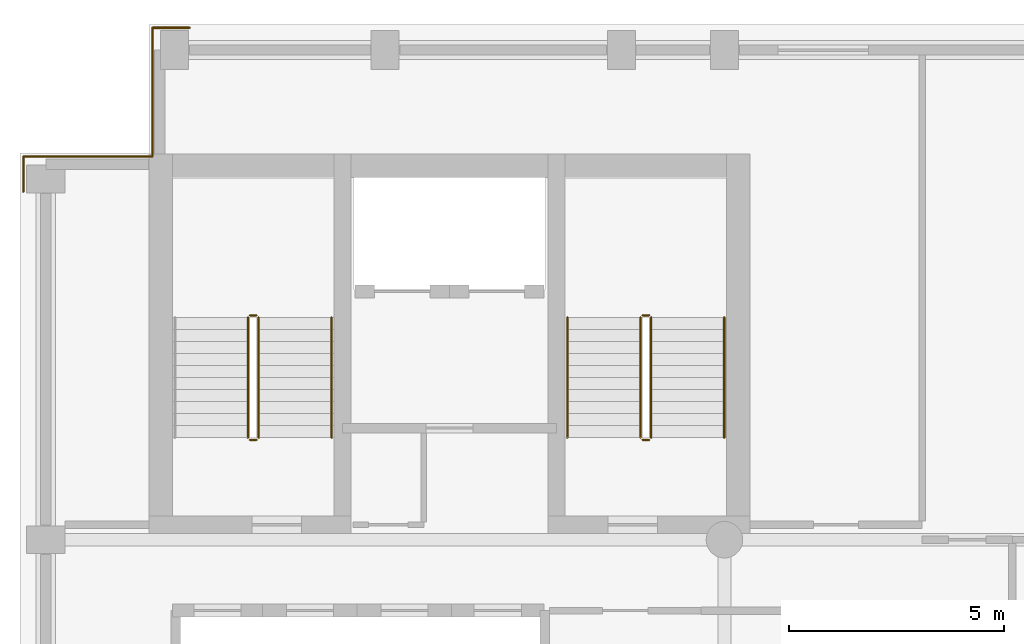
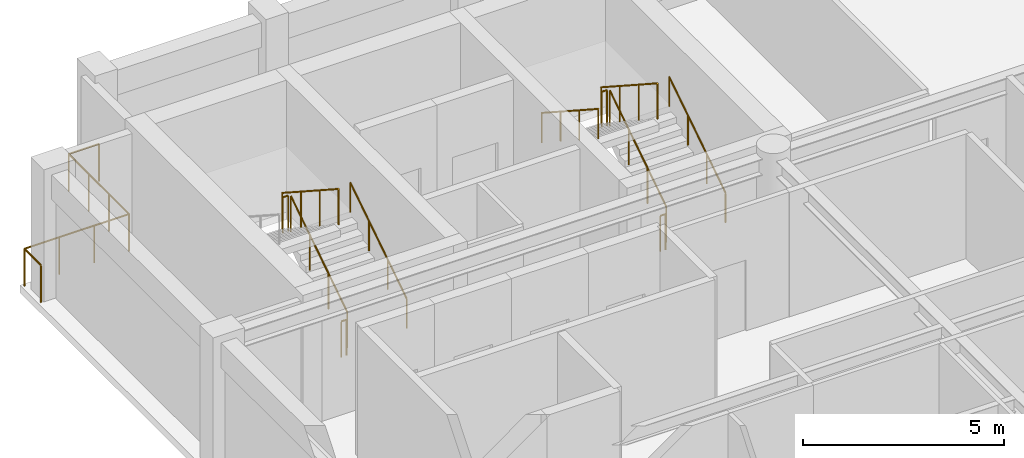
# One storey, part 7 of 8: 15 railings.
"""IFC4 building model written with IfcOpenShell, lengths in metres."""

from ifc_helpers import new_model, si_unit, direction, frame, origin, origin_2d, place, context, subcontext, project, spatial, circle, extrude, material, type_object, element, save


model = new_model("IFC4")

# Units and contexts
model_context = context("Model", 3, precision=1e-05, world=origin(), true_north=direction((0.0, 1.0)))
body_context = subcontext(model_context, "Body", "Model", "MODEL_VIEW")
ifc_project = project(units=[si_unit("LENGTHUNIT", "METRE"), si_unit("AREAUNIT", "SQUARE_METRE"), si_unit("VOLUMEUNIT", "CUBIC_METRE"), si_unit("PLANEANGLEUNIT", "RADIAN"), si_unit("MASSUNIT", "GRAM", prefix="KILO")], contexts=[model_context])

# Site, building, storey
site_placement = place(None, origin())
site = spatial("IfcSite", under=ifc_project, at=site_placement, CompositionType="ELEMENT")
building_placement = place(site_placement, origin())
building = spatial("IfcBuilding", under=site, at=building_placement, Name="Sulina Concourse Tower", CompositionType="ELEMENT")
storey_placement = place(building_placement, frame((0.0, 0.0, 293.0)))
storey = spatial("IfcBuildingStorey", under=building, at=storey_placement, Name="L71", CompositionType="ELEMENT", Elevation=293.0)

# Railings
ifc_material_1 = material(Name="Galvanised steel railing", Category="steel")
railing_type_1 = type_object("IfcRailingType", Name="Core Stair Steel Guardrail 1150mm", PredefinedType="GUARDRAIL", material=ifc_material_1)
railing_1_placement = place(storey_placement, frame((0.080078125, 42.10009765625, 0.0)))
element("IfcRailing", 1, at=railing_1_placement, inside=storey, type_object=railing_type_1, Name="L71 perimeter edge safety guardrail NW1", PredefinedType="GUARDRAIL", context=body_context, shape_type="SweptSolid", body=[
    extrude(circle(Radius=0.02392578125, at=origin_2d()), frame((0.0, 0.0, 1.1259765625), z_axis=(0.0, 1.0, 0.0), x_axis=(-1.0, 0.0, 0.0)), (0.0, 0.0, 1.0), 0.81982421875),
    extrude(circle(Radius=0.02099609375, at=origin_2d()), origin(), (0.0, 0.0, 1.0), 1.101806640625),
    extrude(circle(Radius=0.02099609375, at=origin_2d()), frame((0.0, 0.81982421875, 0.0)), (0.0, 0.0, 1.0), 1.101806640625),
])
railing_2_placement = place(storey_placement, frame((0.080078125, 42.919921875, 0.0)))
element("IfcRailing", 2, at=railing_2_placement, inside=storey, type_object=railing_type_1, Name="L71 perimeter edge safety guardrail NW2", PredefinedType="GUARDRAIL", context=body_context, shape_type="SweptSolid", body=[
    extrude(circle(Radius=0.02392578125, at=origin_2d()), frame((0.0, 0.0, 1.1259765625), z_axis=(1.0, 0.0, 0.0), x_axis=(0.0, 1.0, 0.0)), (0.0, 0.0, 1.0), 3.0),
    extrude(circle(Radius=0.02099609375, at=origin_2d()), origin(), (0.0, 0.0, 1.0), 1.101806640625),
    extrude(circle(Radius=0.02099609375, at=origin_2d()), frame((1.0, 0.0, 0.0)), (0.0, 0.0, 1.0), 1.101806640625),
    extrude(circle(Radius=0.02099609375, at=origin_2d()), frame((2.0, 0.0, 0.0)), (0.0, 0.0, 1.0), 1.101806640625),
    extrude(circle(Radius=0.02099609375, at=origin_2d()), frame((3.0, 0.0, 0.0)), (0.0, 0.0, 1.0), 1.101806640625),
])
railing_3_placement = place(storey_placement, frame((3.080078125, 42.919921875, 0.0)))
element("IfcRailing", 3, at=railing_3_placement, inside=storey, type_object=railing_type_1, Name="L71 perimeter edge safety guardrail NW3", PredefinedType="GUARDRAIL", context=body_context, shape_type="SweptSolid", body=[
    extrude(circle(Radius=0.02392578125, at=origin_2d()), frame((0.0, 0.0, 1.1259765625), z_axis=(0.0, 1.0, 0.0), x_axis=(-1.0, 0.0, 0.0)), (0.0, 0.0, 1.0), 3.0),
    extrude(circle(Radius=0.02099609375, at=origin_2d()), origin(), (0.0, 0.0, 1.0), 1.101806640625),
    extrude(circle(Radius=0.02099609375, at=origin_2d()), frame((0.0, 1.0, 0.0)), (0.0, 0.0, 1.0), 1.101806640625),
    extrude(circle(Radius=0.02099609375, at=origin_2d()), frame((0.0, 2.0, 0.0)), (0.0, 0.0, 1.0), 1.101806640625),
    extrude(circle(Radius=0.02099609375, at=origin_2d()), frame((0.0, 3.0, 0.0)), (0.0, 0.0, 1.0), 1.101806640625),
])
railing_4_placement = place(storey_placement, frame((3.080078125, 45.919921875, 0.0)))
element("IfcRailing", 4, at=railing_4_placement, inside=storey, type_object=railing_type_1, Name="L71 perimeter edge safety guardrail NW4", PredefinedType="GUARDRAIL", context=body_context, shape_type="SweptSolid", body=[
    extrude(circle(Radius=0.02392578125, at=origin_2d()), frame((0.0, 0.0, 1.1259765625), z_axis=(1.0, 0.0, 0.0), x_axis=(0.0, 1.0, 0.0)), (0.0, 0.0, 1.0), 0.869873046875),
    extrude(circle(Radius=0.02099609375, at=origin_2d()), origin(), (0.0, 0.0, 1.0), 1.101806640625),
    extrude(circle(Radius=0.02099609375, at=origin_2d()), frame((0.869873046875, 0.0, 0.0)), (0.0, 0.0, 1.0), 1.101806640625),
])
railing_5_placement = place(storey_placement, frame((5.554931640625, 36.375, 0.181884765625)))
element("IfcRailing", 5, at=railing_5_placement, inside=storey, type_object=railing_type_1, Name="L71 ST-1 stair guard 1", PredefinedType="GUARDRAIL", context=body_context, shape_type="SweptSolid", body=[
    extrude(circle(Radius=0.02392578125, at=origin_2d()), frame((0.0, 0.0, 1.076171875), z_axis=(0.0, 0.838705829183, 0.544584733623), x_axis=(-1.0, 0.0, 0.0)), (0.0, 0.0, 1.0), 3.338623046875),
    extrude(circle(Radius=0.02099609375, at=origin_2d()), origin(), (0.0, 0.0, 1.0), 1.052001953125),
    extrude(circle(Radius=0.02099609375, at=origin_2d()), frame((0.0, 0.933349609375, 0.60595703125)), (0.0, 0.0, 1.0), 1.052001953125),
    extrude(circle(Radius=0.02099609375, at=origin_2d()), frame((0.0, 1.86669921875, 1.212158203125)), (0.0, 0.0, 1.0), 1.052001953125),
    extrude(circle(Radius=0.02099609375, at=origin_2d()), frame((0.0, 2.800048828125, 1.818115234375)), (0.0, 0.0, 1.0), 1.052001953125),
])
railing_6_placement = place(storey_placement, frame((5.5048828125, 39.22509765625, 2.0)))
element("IfcRailing", 6, at=railing_6_placement, inside=storey, type_object=railing_type_1, Name="L71 ST-1 stair guard 2", PredefinedType="GUARDRAIL", context=body_context, shape_type="SweptSolid", body=[
    extrude(circle(Radius=0.02392578125, at=origin_2d()), frame((0.0, 0.0, 1.076171875), z_axis=(-1.0, 0.0, 0.0), x_axis=(0.0, -1.0, 0.0)), (0.0, 0.0, 1.0), 0.14990234375),
    extrude(circle(Radius=0.02099609375, at=origin_2d()), origin(), (0.0, 0.0, 1.0), 1.052001953125),
    extrude(circle(Radius=0.02099609375, at=origin_2d()), frame((-0.14990234375, 0.0, 0.0)), (0.0, 0.0, 1.0), 1.052001953125),
])
railing_7_placement = place(storey_placement, frame((5.304931640625, 39.175048828125, 2.181884765625)))
element("IfcRailing", 7, at=railing_7_placement, inside=storey, type_object=railing_type_1, Name="L71 ST-1 stair guard 3", PredefinedType="GUARDRAIL", context=body_context, shape_type="SweptSolid", body=[
    extrude(circle(Radius=0.02392578125, at=origin_2d()), frame((0.0, 0.0, 1.076171875), z_axis=(0.0, -0.838705829183, 0.544584733623), x_axis=(1.0, 0.0, 0.0)), (0.0, 0.0, 1.0), 3.338623046875),
    extrude(circle(Radius=0.02099609375, at=origin_2d()), origin(), (0.0, 0.0, 1.0), 1.052001953125),
    extrude(circle(Radius=0.02099609375, at=origin_2d()), frame((0.0, -0.933349609375, 0.60595703125)), (0.0, 0.0, 1.0), 1.052001953125),
    extrude(circle(Radius=0.02099609375, at=origin_2d()), frame((0.0, -1.86669921875, 1.212158203125)), (0.0, 0.0, 1.0), 1.052001953125),
    extrude(circle(Radius=0.02099609375, at=origin_2d()), frame((0.0, -2.800048828125, 1.818115234375)), (0.0, 0.0, 1.0), 1.052001953125),
])
railing_8_placement = place(storey_placement, frame((5.5048828125, 36.324951171875, 0.0)))
element("IfcRailing", 8, at=railing_8_placement, inside=storey, type_object=railing_type_1, Name="L71 ST-1 stair guard 4", PredefinedType="GUARDRAIL", context=body_context, shape_type="SweptSolid", body=[
    extrude(circle(Radius=0.02392578125, at=origin_2d()), frame((0.0, 0.0, 1.076171875), z_axis=(-1.0, 0.0, 0.0), x_axis=(0.0, -1.0, 0.0)), (0.0, 0.0, 1.0), 0.14990234375),
    extrude(circle(Radius=0.02099609375, at=origin_2d()), origin(), (0.0, 0.0, 1.0), 1.052001953125),
    extrude(circle(Radius=0.02099609375, at=origin_2d()), frame((-0.14990234375, 0.0, 0.0)), (0.0, 0.0, 1.0), 1.052001953125),
])
railing_9_placement = place(storey_placement, frame((14.695068359375, 36.375, 0.181884765625)))
element("IfcRailing", 9, at=railing_9_placement, inside=storey, type_object=railing_type_1, Name="L71 ST-2 stair guard 1", PredefinedType="GUARDRAIL", context=body_context, shape_type="SweptSolid", body=[
    extrude(circle(Radius=0.02392578125, at=origin_2d()), frame((0.0, 0.0, 1.076171875), z_axis=(0.0, 0.838705829183, 0.544584733623), x_axis=(-1.0, 0.0, 0.0)), (0.0, 0.0, 1.0), 3.338623046875),
    extrude(circle(Radius=0.02099609375, at=origin_2d()), origin(), (0.0, 0.0, 1.0), 1.052001953125),
    extrude(circle(Radius=0.02099609375, at=origin_2d()), frame((0.0, 0.933349609375, 0.60595703125)), (0.0, 0.0, 1.0), 1.052001953125),
    extrude(circle(Radius=0.02099609375, at=origin_2d()), frame((0.0, 1.86669921875, 1.212158203125)), (0.0, 0.0, 1.0), 1.052001953125),
    extrude(circle(Radius=0.02099609375, at=origin_2d()), frame((0.0, 2.800048828125, 1.818115234375)), (0.0, 0.0, 1.0), 1.052001953125),
])
railing_10_placement = place(storey_placement, frame((14.64501953125, 39.22509765625, 2.0)))
element("IfcRailing", 10, at=railing_10_placement, inside=storey, type_object=railing_type_1, Name="L71 ST-2 stair guard 2", PredefinedType="GUARDRAIL", context=body_context, shape_type="SweptSolid", body=[
    extrude(circle(Radius=0.02392578125, at=origin_2d()), frame((0.0, 0.0, 1.076171875), z_axis=(-1.0, 0.0, 0.0), x_axis=(0.0, -1.0, 0.0)), (0.0, 0.0, 1.0), 0.14990234375),
    extrude(circle(Radius=0.02099609375, at=origin_2d()), origin(), (0.0, 0.0, 1.0), 1.052001953125),
    extrude(circle(Radius=0.02099609375, at=origin_2d()), frame((-0.14990234375, 0.0, 0.0)), (0.0, 0.0, 1.0), 1.052001953125),
])
railing_11_placement = place(storey_placement, frame((14.445068359375, 39.175048828125, 2.181884765625)))
element("IfcRailing", 11, at=railing_11_placement, inside=storey, type_object=railing_type_1, Name="L71 ST-2 stair guard 3", PredefinedType="GUARDRAIL", context=body_context, shape_type="SweptSolid", body=[
    extrude(circle(Radius=0.02392578125, at=origin_2d()), frame((0.0, 0.0, 1.076171875), z_axis=(0.0, -0.838705829183, 0.544584733623), x_axis=(1.0, 0.0, 0.0)), (0.0, 0.0, 1.0), 3.338623046875),
    extrude(circle(Radius=0.02099609375, at=origin_2d()), origin(), (0.0, 0.0, 1.0), 1.052001953125),
    extrude(circle(Radius=0.02099609375, at=origin_2d()), frame((0.0, -0.933349609375, 0.60595703125)), (0.0, 0.0, 1.0), 1.052001953125),
    extrude(circle(Radius=0.02099609375, at=origin_2d()), frame((0.0, -1.86669921875, 1.212158203125)), (0.0, 0.0, 1.0), 1.052001953125),
    extrude(circle(Radius=0.02099609375, at=origin_2d()), frame((0.0, -2.800048828125, 1.818115234375)), (0.0, 0.0, 1.0), 1.052001953125),
])
railing_12_placement = place(storey_placement, frame((14.64501953125, 36.324951171875, 0.0)))
element("IfcRailing", 12, at=railing_12_placement, inside=storey, type_object=railing_type_1, Name="L71 ST-2 stair guard 4", PredefinedType="GUARDRAIL", context=body_context, shape_type="SweptSolid", body=[
    extrude(circle(Radius=0.02392578125, at=origin_2d()), frame((0.0, 0.0, 1.076171875), z_axis=(-1.0, 0.0, 0.0), x_axis=(0.0, -1.0, 0.0)), (0.0, 0.0, 1.0), 0.14990234375),
    extrude(circle(Radius=0.02099609375, at=origin_2d()), origin(), (0.0, 0.0, 1.0), 1.052001953125),
    extrude(circle(Radius=0.02099609375, at=origin_2d()), frame((-0.14990234375, 0.0, 0.0)), (0.0, 0.0, 1.0), 1.052001953125),
])
ifc_material_2 = material(Name="Galvanised steel railing", Category="steel")
railing_type_2 = type_object("IfcRailingType", Name="Stair Wall Steel Handrail 920mm", PredefinedType="HANDRAIL", material=ifc_material_2)
for number, where, name in (
    (13, (7.2548828125, 36.375, 0.181884765625), "L71 ST-1 stair handrail 1"),
    (14, (16.39501953125, 36.375, 0.181884765625), "L71 ST-2 stair handrail 1"),
):
    element("IfcRailing", number, at=place(storey_placement, frame(where)), inside=storey, type_object=railing_type_2, Name=name, PredefinedType="HANDRAIL", context=body_context, shape_type="SweptSolid", body=[
        extrude(circle(Radius=0.02392578125, at=origin_2d()), frame((0.0, 0.0, 0.89599609375), z_axis=(0.0, 0.838705829183, 0.544584733623), x_axis=(-1.0, 0.0, 0.0)), (0.0, 0.0, 1.0), 3.338623046875),
        extrude(circle(Radius=0.02099609375, at=origin_2d()), origin(), (0.0, 0.0, 1.0), 0.871826171875),
        extrude(circle(Radius=0.02099609375, at=origin_2d()), frame((0.0, 0.933349609375, 0.60595703125)), (0.0, 0.0, 1.0), 0.871826171875),
        extrude(circle(Radius=0.02099609375, at=origin_2d()), frame((0.0, 1.86669921875, 1.212158203125)), (0.0, 0.0, 1.0), 0.871826171875),
        extrude(circle(Radius=0.02099609375, at=origin_2d()), frame((0.0, 2.800048828125, 1.818115234375)), (0.0, 0.0, 1.0), 0.871826171875),
    ])
railing_13_placement = place(storey_placement, frame((12.7451171875, 39.175048828125, 2.181884765625)))
element("IfcRailing", 15, at=railing_13_placement, inside=storey, type_object=railing_type_2, Name="L71 ST-2 stair handrail 2", PredefinedType="HANDRAIL", context=body_context, shape_type="SweptSolid", body=[
    extrude(circle(Radius=0.02392578125, at=origin_2d()), frame((0.0, 0.0, 0.89599609375), z_axis=(0.0, -0.838705829183, 0.544584733623), x_axis=(1.0, 0.0, 0.0)), (0.0, 0.0, 1.0), 3.338623046875),
    extrude(circle(Radius=0.02099609375, at=origin_2d()), origin(), (0.0, 0.0, 1.0), 0.871826171875),
    extrude(circle(Radius=0.02099609375, at=origin_2d()), frame((0.0, -0.933349609375, 0.60595703125)), (0.0, 0.0, 1.0), 0.871826171875),
    extrude(circle(Radius=0.02099609375, at=origin_2d()), frame((0.0, -1.86669921875, 1.212158203125)), (0.0, 0.0, 1.0), 0.871826171875),
    extrude(circle(Radius=0.02099609375, at=origin_2d()), frame((0.0, -2.800048828125, 1.818115234375)), (0.0, 0.0, 1.0), 0.871826171875),
])

save(model, "model.ifc")
